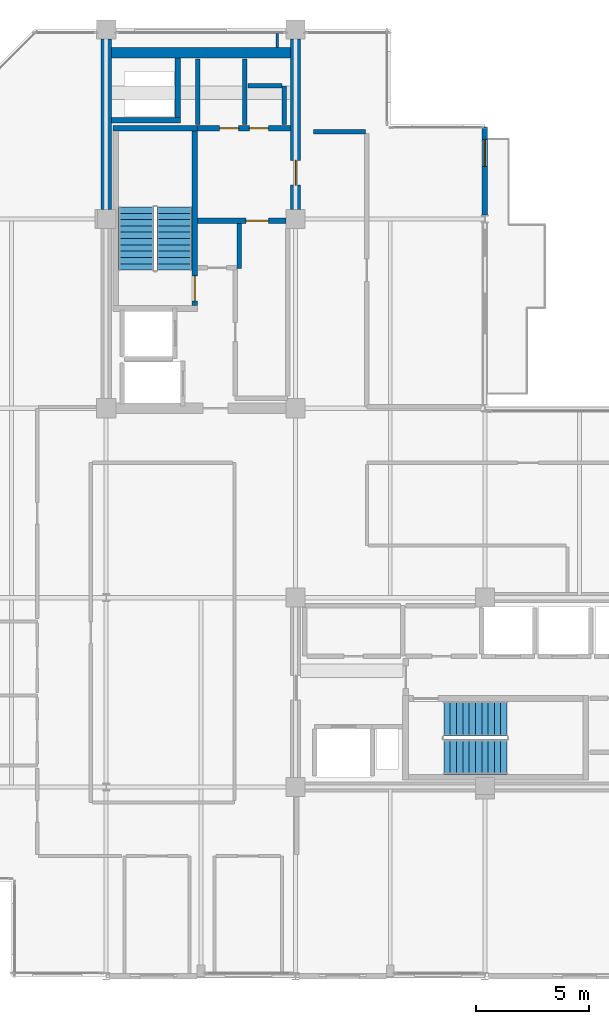
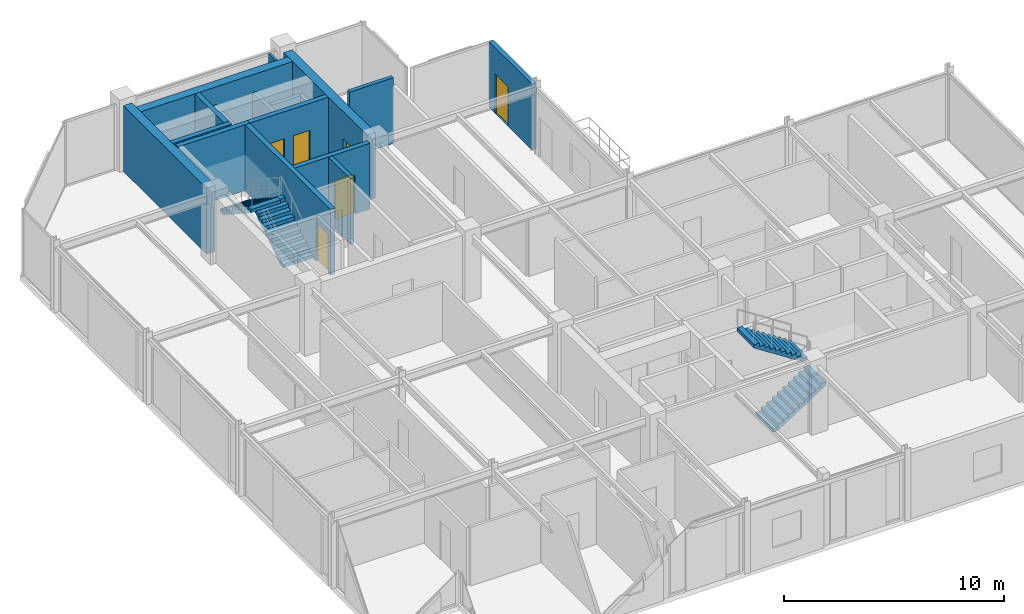
# One storey, part 23 of 26: 17 walls, 6 doors, 4 stair flights, 6 openings, 2 elements without a shape of their own.
"""IFC4 building model written with IfcOpenShell, lengths in metres."""

import ifcopenshell
import ifcopenshell.guid

model = None  # the IFC model being written
_history = None  # IfcOwnerHistory: only IFC2X3 demands one
_inside = {}  # id of a spatial element -> (the spatial element, [elements in it])
_under = {}  # id of a project, library or spatial element -> (it, [spatial elements below it])
_declared = {}  # id of a project -> (the project, [libraries it declares])
_typed = {}  # id of a type object -> (the type object, [elements of that type])
_made_of = {}  # id of a material, layer set ... -> (it, [elements and type objects made of it])


def new_model(schema):
    """Start an empty IFC model of exactly this schema.

    Asked for "IFC4X3", IfcOpenShell would pick the latest addendum, in which some entities
    have other attributes; the version numbers below select the first issue.
    IFC2X3 requires an IfcOwnerHistory on every rooted entity: one is made here for all.
    """
    global model, _history
    if schema == "IFC4X3":
        model = ifcopenshell.file(schema_version=(4, 3, 0, 0))
    else:
        model = ifcopenshell.file(schema=schema)
    _inside.clear()
    _under.clear()
    _declared.clear()
    _typed.clear()
    _made_of.clear()
    _history = None
    if model.schema == "IFC2X3":
        org = make("IfcOrganization", Name="unknown")
        user = make(
            "IfcPersonAndOrganization",
            ThePerson=make("IfcPerson", FamilyName="unknown"),
            TheOrganization=org,
        )
        app = make(
            "IfcApplication",
            ApplicationDeveloper=org,
            Version="unknown",
            ApplicationFullName="unknown",
            ApplicationIdentifier="unknown",
        )
        _history = make(
            "IfcOwnerHistory",
            OwningUser=user,
            OwningApplication=app,
            ChangeAction="ADDED",
            CreationDate=0,
        )
    return model


def make(cls, **values):
    """One entity of the class cls with the attributes given. An attribute that is None is left unset."""
    return model.create_entity(
        cls, **{name: value for name, value in values.items() if value is not None}
    )


def rooted(cls, **values):
    """An entity with a GlobalId (a new one), such as an element, a storey or a relation."""
    return make(cls, GlobalId=ifcopenshell.guid.new(), OwnerHistory=_history, **values)


def si_unit(unit_type, name, prefix=None):
    """IfcSIUnit, for example si_unit("LENGTHUNIT", "METRE", prefix="MILLI")."""
    return make("IfcSIUnit", UnitType=unit_type, Prefix=prefix, Name=name)


def assignment(units):
    """IfcUnitAssignment: the units of a project."""
    return None if units is None else make("IfcUnitAssignment", Units=units)


def point(xyz):
    """IfcCartesianPoint."""
    return None if xyz is None else make("IfcCartesianPoint", Coordinates=xyz)


def direction(xyz):
    """IfcDirection."""
    return None if xyz is None else make("IfcDirection", DirectionRatios=xyz)


def frame(location, z_axis=None, x_axis=None):
    """IfcAxis2Placement3D, a coordinate frame: its origin and axes. An axis left out is left unset."""
    return make(
        "IfcAxis2Placement3D",
        Location=point(location),
        Axis=direction(z_axis),
        RefDirection=direction(x_axis),
    )


def frame_2d(location, x_axis=None):
    """IfcAxis2Placement2D, a coordinate frame in the plane: its origin and x axis."""
    return make(
        "IfcAxis2Placement2D", Location=point(location), RefDirection=direction(x_axis)
    )


def origin():
    """The frame at (0, 0, 0) with its axes left unset."""
    return frame((0.0, 0.0, 0.0))


def place(relative_to, where):
    """IfcLocalPlacement: puts the frame where relative to a parent placement (None: the world)."""
    return make(
        "IfcLocalPlacement", PlacementRelTo=relative_to, RelativePlacement=where
    )


def context(
    kind, dimensions, precision=None, world=None, true_north=None, identifier=None
):
    """IfcGeometricRepresentationContext, for example the 3D "Model" context."""
    return make(
        "IfcGeometricRepresentationContext",
        ContextIdentifier=identifier,
        ContextType=kind,
        CoordinateSpaceDimension=dimensions,
        Precision=precision,
        WorldCoordinateSystem=world,
        TrueNorth=true_north,
    )


def subcontext(parent, identifier, kind, view, scale=None):
    """IfcGeometricRepresentationSubContext, for example "Body" below "Model"."""
    return make(
        "IfcGeometricRepresentationSubContext",
        ContextIdentifier=identifier,
        ContextType=kind,
        ParentContext=parent,
        TargetScale=scale,
        TargetView=view,
    )


def project(units=None, contexts=None):
    """IfcProject with its units and contexts."""
    return rooted(
        "IfcProject",
        Name="project",
        RepresentationContexts=contexts,
        UnitsInContext=assignment(units),
    )


def spatial(cls, under=None, at=None, **own):
    """A site, building, storey or space (cls), placed at a placement, below another one or the project."""
    s = rooted(cls, ObjectPlacement=at, **own)
    if under is not None:
        _under.setdefault(under.id(), (under, []))[1].append(s)
    return s


def polyline(points):
    """IfcPolyline through the points."""
    return make("IfcPolyline", Points=[point(p) for p in points])


def profile(cls, at=None, kind="AREA", **sizes):
    """A parametric profile (cls). Its sizes go by their IFC names, for example OverallWidth=200.0."""
    return make(cls, ProfileType=kind, Position=at, **sizes)


def rectangle(**sizes):
    """IfcRectangleProfileDef."""
    return profile("IfcRectangleProfileDef", **sizes)


def outline(outer, holes=None, kind="AREA"):
    """IfcArbitraryClosedProfileDef: a profile drawn as a closed curve; with holes, ...WithVoids."""
    if holes is None:
        return make("IfcArbitraryClosedProfileDef", ProfileType=kind, OuterCurve=outer)
    return make(
        "IfcArbitraryProfileDefWithVoids",
        ProfileType=kind,
        OuterCurve=outer,
        InnerCurves=holes,
    )


def extrude(swept, where, along, depth):
    """IfcExtrudedAreaSolid: the profile swept, set in the frame where, extruded along a direction by depth."""
    return make(
        "IfcExtrudedAreaSolid",
        SweptArea=swept,
        Position=where,
        ExtrudedDirection=direction(along),
        Depth=depth,
    )


def shape(context_of_items, identifier, shape_type, items):
    """IfcShapeRepresentation: the items that make up one representation, for example the "Body"."""
    return make(
        "IfcShapeRepresentation",
        ContextOfItems=context_of_items,
        RepresentationIdentifier=identifier,
        RepresentationType=shape_type,
        Items=items,
    )


def material(Name=None, Category=None):
    """IfcMaterial."""
    return make("IfcMaterial", Name=Name, Category=Category)


def layer(
    of_material, thickness, ventilated=None, Name=None, Category=None, Priority=None
):
    """IfcMaterialLayer: one layer of a wall or slab, of a material (None: an air gap)."""
    return make(
        "IfcMaterialLayer",
        Material=of_material,
        LayerThickness=thickness,
        IsVentilated=ventilated,
        Name=Name,
        Category=Category,
        Priority=Priority,
    )


def layer_set(layers, Name=None):
    """IfcMaterialLayerSet."""
    return make("IfcMaterialLayerSet", MaterialLayers=layers, LayerSetName=Name)


def made_of(thing, what):
    """Note that an element or type object is made of a material, layer set ...; save() writes the relation."""
    if what is not None:
        _made_of.setdefault(what.id(), (what, []))[1].append(thing)
    return thing


def type_object(cls, material=None, **own):
    """A type object (cls), such as IfcWallType, which elements share."""
    return made_of(rooted(cls, **own), material)


def element(
    cls,
    number,
    at=None,
    inside=None,
    cuts=None,
    type_object=None,
    material=None,
    context=None,
    identifier="Body",
    shape_type=None,
    held_by="IfcProductDefinitionShape",
    body=None,
    shapes=None,
    **own,
):
    """One element of the class cls, such as IfcWall. Its Tag is "e" and its number.

    at: its placement. inside: the storey or other place that contains it. cuts: it is an
    opening in that element (IfcRelVoidsElement). A single representation is given by context,
    identifier, shape_type and body (its items); several are given by shapes. held_by: the class
    of the entity that holds the representations. save() writes the other relations.
    """
    e = rooted(cls, Tag="e%d" % number, ObjectPlacement=at, **own)
    if body is not None:
        shapes = [shape(context, identifier, shape_type, body)]
    if shapes is not None:
        e.Representation = make(held_by, Representations=shapes)
    if inside is not None:
        _inside.setdefault(inside.id(), (inside, []))[1].append(e)
    if cuts is not None:
        rooted(
            "IfcRelVoidsElement", RelatingBuildingElement=cuts, RelatedOpeningElement=e
        )
    if type_object is not None:
        _typed.setdefault(type_object.id(), (type_object, []))[1].append(e)
    return made_of(e, material)


def fill(opening, filler):
    """IfcRelFillsElement: the door or window that sits in an opening."""
    return rooted(
        "IfcRelFillsElement",
        RelatingOpeningElement=opening,
        RelatedBuildingElement=filler,
    )


def aggregate(whole, parts):
    """IfcRelAggregates: a whole, such as a stair, and the parts it consists of."""
    return rooted("IfcRelAggregates", RelatingObject=whole, RelatedObjects=parts)


def save(model, path):
    """Write the relations noted so far, then the file.

    IfcRelAggregates (storeys below a building ...), IfcRelContainedInSpatialStructure (elements
    in a storey), IfcRelDefinesByType, IfcRelAssociatesMaterial and IfcRelDeclares: one each for
    every whole, place, type object, material and project.
    """
    for whole, parts in _under.values():
        aggregate(whole, parts)
    for where, things in _inside.values():
        rooted(
            "IfcRelContainedInSpatialStructure",
            RelatedElements=things,
            RelatingStructure=where,
        )
    for kind, things in _typed.values():
        rooted("IfcRelDefinesByType", RelatedObjects=things, RelatingType=kind)
    for what, things in _made_of.values():
        rooted("IfcRelAssociatesMaterial", RelatedObjects=things, RelatingMaterial=what)
    for by, libraries in _declared.values():
        rooted("IfcRelDeclares", RelatingContext=by, RelatedDefinitions=libraries)
    model.write(path)


model = new_model("IFC4")

# Units and contexts
model_context = context("Model", 3, precision=1e-05, world=origin(), true_north=direction((0.0, 1.0)))
body_context = subcontext(model_context, "Body", "Model", "MODEL_VIEW")
ifc_project = project(units=[si_unit("LENGTHUNIT", "METRE"), si_unit("AREAUNIT", "SQUARE_METRE"), si_unit("VOLUMEUNIT", "CUBIC_METRE"), si_unit("PLANEANGLEUNIT", "RADIAN"), si_unit("MASSUNIT", "GRAM", prefix="KILO")], contexts=[model_context])

# Site, building, storey
site_placement = place(None, origin())
site = spatial("IfcSite", under=ifc_project, at=site_placement, CompositionType="ELEMENT")
building_placement = place(site_placement, origin())
building = spatial("IfcBuilding", under=site, at=building_placement, Name="Nerrivon Quay Data Exchange", CompositionType="ELEMENT")
storey_placement = place(building_placement, frame((0.0, 0.0, 282.199951171875)))
storey = spatial("IfcBuildingStorey", under=building, at=storey_placement, Name="L67", CompositionType="ELEMENT", Elevation=282.199951171875)

# Wall, opening, door
ifc_material_1 = material(Name="Architectural terracotta precast concrete N50 (50 MPa)", Category="masonry")
ifc_layer_1 = layer(ifc_material_1, 0.239990234375)
ifc_layer_set_1 = layer_set([ifc_layer_1], Name="Architectural terracotta precast concrete N50 (50 MPa)")
wall_type_1 = type_object("IfcWallType", Name="EW-PREC-240", PredefinedType="STANDARD", material=ifc_layer_set_1)
wall_1_placement = place(storey_placement, frame((25.199951171875, 37.679931640625, 0.0), z_axis=(0.0, 0.0, 1.0), x_axis=(0.0, -1.0, 0.0)))
wall_1 = element("IfcWall", 1, at=wall_1_placement, inside=storey, type_object=wall_type_1, Name="L67 Terrace Host Wall 22", PredefinedType="STANDARD", context=body_context, shape_type="SweptSolid", body=[
    extrude(rectangle(XDim=3.91650390625, YDim=0.239990234375, at=frame_2d((1.958251953125, 0.0))), origin(), (0.0, 0.0, 1.0), 3.650146484375),
])
opening_1_placement = place(wall_1_placement, frame((0.550048828125, 0.0, 0.0)))
opening_1 = element("IfcOpeningElement", 2, at=opening_1_placement, cuts=wall_1, Name="Opening TD1", PredefinedType="OPENING", context=body_context, shape_type="SweptSolid", body=[
    extrude(rectangle(XDim=1.199951171875, YDim=2.199951171875, at=frame_2d((0.60009765625, 1.10009765625))), frame((0.0, 0.1298828125, 0.0), z_axis=(0.0, -1.0, 0.0), x_axis=(1.0, 0.0, 0.0)), (0.0, 0.0, 1.0), 0.260009765625),
])
ifc_material_2 = material(Name="Double-glazed low-E solar control glass", Category="glass")
door_type_1 = type_object("IfcDoorType", Name="DR-TERR-1200x2200", OperationType="NOTDEFINED", PredefinedType="DOOR", material=ifc_material_2)
door_1_placement = place(opening_1_placement, origin())
door_1 = element("IfcDoor", 3, at=door_1_placement, inside=storey, type_object=door_type_1, Name="L67 Outdoor Terrace Access Door 22", OperationType="SINGLE_SWING_LEFT", OverallHeight=2.199951171875, OverallWidth=1.199951171875, PredefinedType="DOOR", context=body_context, shape_type="SweptSolid", body=[
    extrude(rectangle(XDim=1.199951171875, YDim=2.199951171875, at=frame_2d((0.60009765625, 1.10009765625))), frame((0.0, 0.02490234375, 0.0), z_axis=(0.0, -1.0, 0.0), x_axis=(1.0, 0.0, 0.0)), (0.0, 0.0, 1.0), 0.050048828125),
])
fill(opening_1, door_1)

# Walls
ifc_material_3 = material(Name="Concrete N50 (50 MPa)", Category="concrete")
ifc_layer_2 = layer(ifc_material_3, 0.449951171875)
ifc_layer_set_2 = layer_set([ifc_layer_2], Name="Concrete N50 (50 MPa)")
wall_type_2 = type_object("IfcWallType", Name="WALL-CW-550", PredefinedType="SHEAR", material=ifc_layer_set_2)
wall_2_placement = place(storey_placement, frame((8.39990234375, 34.02490234375, 0.0), z_axis=(0.0, 0.0, 1.0), x_axis=(0.0, 1.0, 0.0)))
element("IfcWall", 4, at=wall_2_placement, inside=storey, type_object=wall_type_2, Name="L67 West Split-Core Shear Wall WCW-W2", PredefinedType="SHEAR", context=body_context, shape_type="SweptSolid", body=[
    extrude(rectangle(XDim=7.550048828125, YDim=0.449951171875, at=frame_2d((3.77490234375, 0.0))), origin(), (0.0, 0.0, 1.0), 3.650146484375),
])
wall_3_placement = place(storey_placement, frame((8.625, 40.97509765625, 0.0), z_axis=(0.0, 0.0, 1.0), x_axis=(1.0, 0.0, 0.0)))
element("IfcWall", 5, at=wall_3_placement, inside=storey, type_object=wall_type_2, Name="L67 West Split-Core Shear Wall WCW-N1", PredefinedType="SHEAR", context=body_context, shape_type="SweptSolid", body=[
    extrude(rectangle(XDim=7.949951171875, YDim=0.449951171875, at=frame_2d((3.97509765625, 0.0))), origin(), (0.0, 0.0, 1.0), 3.650146484375),
])

# Wall, opening, door
wall_4_placement = place(storey_placement, frame((16.800048828125, 34.02490234375, 0.0), z_axis=(0.0, 0.0, 1.0), x_axis=(0.0, 1.0, 0.0)))
wall_4 = element("IfcWall", 6, at=wall_4_placement, inside=storey, type_object=wall_type_2, Name="L67 West Split-Core Shear Wall WCW-E1", PredefinedType="SHEAR", context=body_context, shape_type="SweptSolid", body=[
    extrude(rectangle(XDim=7.550048828125, YDim=0.449951171875, at=frame_2d((3.77490234375, 0.0))), origin(), (0.0, 0.0, 1.0), 3.650146484375),
])
opening_2_placement = place(wall_4_placement, frame((1.074951171875, 0.0, 0.0)))
opening_2 = element("IfcOpeningElement", 7, at=opening_2_placement, cuts=wall_4, Name="Opening FD-120", PredefinedType="OPENING", context=body_context, shape_type="SweptSolid", body=[
    extrude(rectangle(XDim=1.10009765625, YDim=2.14990234375, at=frame_2d((0.550048828125, 1.074951171875))), frame((0.0, 0.23486328125, 0.0), z_axis=(0.0, -1.0, 0.0), x_axis=(1.0, 0.0, 0.0)), (0.0, 0.0, 1.0), 0.469970703125),
])
ifc_material_4 = material(Name="Powder-coated galvanized steel sheet", Category="steel")
door_type_2 = type_object("IfcDoorType", Name="DR-FD120-1100", OperationType="NOTDEFINED", PredefinedType="DOOR", material=ifc_material_4)
door_2_placement = place(opening_2_placement, origin())
door_2 = element("IfcDoor", 8, at=door_2_placement, inside=storey, type_object=door_type_2, Name="L67 West Core Lobby Fire Door", OperationType="SINGLE_SWING_LEFT", OverallHeight=2.14990234375, OverallWidth=1.10009765625, PredefinedType="DOOR", context=body_context, shape_type="SweptSolid", body=[
    extrude(rectangle(XDim=1.10009765625, YDim=2.14990234375, at=frame_2d((0.550048828125, 1.074951171875))), frame((0.0, 0.02490234375, 0.0), z_axis=(0.0, -1.0, 0.0), x_axis=(1.0, 0.0, 0.0)), (0.0, 0.0, 1.0), 0.050048828125),
])
fill(opening_2, door_2)

# Walls
ifc_material_5 = material(Name="Gypsum plasterboard on cold-formed framing", Category="gypsum")
ifc_layer_3 = layer(ifc_material_5, 0.199951171875)
ifc_layer_set_3 = layer_set([ifc_layer_3], Name="Gypsum plasterboard on cold-formed framing")
wall_type_3 = type_object("IfcWallType", Name="WALL-FW-200", PredefinedType="PARTITIONING", material=ifc_layer_set_3)
wall_5_placement = place(storey_placement, frame((14.300048828125, 33.39111328125, 0.0), z_axis=(0.0, 0.0, 1.0), x_axis=(0.0, -1.0, 0.0)))
element("IfcWall", 9, at=wall_5_placement, inside=storey, type_object=wall_type_3, Name="L67 Partition Core Equipment Store", PredefinedType="PARTITIONING", context=body_context, shape_type="SweptSolid", body=[
    extrude(rectangle(XDim=1.9912109375, YDim=0.199951171875, at=frame_2d((0.99560546875, 0.0))), origin(), (0.0, 0.0, 1.0), 3.650146484375),
])
for number, where, z_axis, x_axis, name in (
    (10, (14.550048828125, 37.780029296875, 0.0), (0.0, 0.0, 1.0), (0.0, 1.0, 0.0), "L67 Partition Electrical Switchboard Closet"),
    (11, (12.449951171875, 40.699951171875, 0.0), (0.0, 0.0, 1.0), (0.0, -1.0, 0.0), "L67 Partition Electrical Switchboard Closet"),
):
    element("IfcWall", number, at=place(storey_placement, frame(where, z_axis=z_axis, x_axis=x_axis)), inside=storey, type_object=wall_type_3, Name=name, PredefinedType="PARTITIONING", context=body_context, shape_type="SweptSolid", body=[
        extrude(rectangle(XDim=2.919921875, YDim=0.199951171875, at=frame_2d((1.4599609375, 0.0))), origin(), (0.0, 0.0, 1.0), 2.699951171875),
    ])
wall_6_placement = place(storey_placement, frame((16.300048828125, 37.780029296875, 0.0), z_axis=(0.0, 0.0, 1.0), x_axis=(0.0, 1.0, 0.0)))
element("IfcWall", 12, at=wall_6_placement, inside=storey, type_object=wall_type_3, Name="L67 Partition Janitor Closet", PredefinedType="PARTITIONING", context=body_context, shape_type="SweptSolid", body=[
    extrude(rectangle(XDim=1.719970703125, YDim=0.199951171875, at=frame_2d((0.85986328125, 0.0))), origin(), (0.0, 0.0, 1.0), 2.699951171875),
])
wall_7_placement = place(storey_placement, frame((16.196044921875, 39.5, 0.0), z_axis=(0.0, 0.0, 1.0), x_axis=(-1.0, 0.0, 0.0)))
element("IfcWall", 13, at=wall_7_placement, inside=storey, type_object=wall_type_3, Name="L67 Partition Janitor Closet", PredefinedType="PARTITIONING", context=body_context, shape_type="SweptSolid", body=[
    extrude(rectangle(XDim=1.506103515625, YDim=0.199951171875, at=frame_2d((0.7529296875, 0.0))), origin(), (0.0, 0.0, 1.0), 2.699951171875),
])
wall_8_placement = place(storey_placement, frame((17.60009765625, 37.4599609375, 0.0), z_axis=(0.0, 0.0, 1.0), x_axis=(1.0, 0.0, 0.0)))
element("IfcWall", 14, at=wall_8_placement, inside=storey, type_object=wall_type_3, Name="L67 Partition Colocation Data Workspace 1", PredefinedType="PARTITIONING", context=body_context, shape_type="SweptSolid", body=[
    extrude(rectangle(XDim=2.2998046875, YDim=0.199951171875, at=frame_2d((1.14990234375, 0.0))), origin(), (0.0, 0.0, 1.0), 3.650146484375),
])
ifc_layer_4 = layer(ifc_material_5, 0.1201171875)
ifc_layer_set_4 = layer_set([ifc_layer_4], Name="Gypsum plasterboard on cold-formed framing")
wall_type_4 = type_object("IfcWallType", Name="WALL-PT-120", PredefinedType="PARTITIONING", material=ifc_layer_set_4)
wall_9_placement = place(storey_placement, frame((15.98388671875, 41.2041015625, 0.0), z_axis=(0.0, 0.0, 1.0), x_axis=(0.0, 1.0, 0.0)))
element("IfcWall", 15, at=wall_9_placement, inside=storey, type_object=wall_type_4, Name="L67 Partition Technical Library", PredefinedType="PARTITIONING", context=body_context, shape_type="SweptSolid", body=[
    extrude(rectangle(XDim=0.626953125, YDim=0.1201171875, at=frame_2d((0.3134765625, 0.0))), origin(), (0.0, 0.0, 1.0), 3.650146484375),
])
ifc_layer_5 = layer(ifc_material_3, 0.25)
ifc_layer_set_5 = layer_set([ifc_layer_5], Name="Concrete N50 (50 MPa)")
wall_type_5 = type_object("IfcWallType", Name="WALL-SW-250", PredefinedType="SHEAR", material=ifc_layer_set_5)
wall_10_placement = place(storey_placement, frame((12.449951171875, 37.625, 0.0), z_axis=(0.0, 0.0, 1.0), x_axis=(-1.0, 0.0, 0.0)))
element("IfcWall", 16, at=wall_10_placement, inside=storey, type_object=wall_type_5, Name="L67 ST01 Structural Stair Core Wall FAR", PredefinedType="SHEAR", context=body_context, shape_type="SweptSolid", body=[
    extrude(rectangle(XDim=3.75, YDim=0.25, at=frame_2d((1.875, 0.0))), origin(), (0.0, 0.0, 1.0), 3.650146484375),
])

# Wall, opening, door
wall_11_placement = place(storey_placement, frame((12.324951171875, 29.75, 0.0), z_axis=(0.0, 0.0, 1.0), x_axis=(0.0, 1.0, 0.0)))
wall_11 = element("IfcWall", 17, at=wall_11_placement, inside=storey, type_object=wall_type_5, Name="L67 ST01 Structural Stair Core Wall LEFT", PredefinedType="SHEAR", context=body_context, shape_type="SweptSolid", body=[
    extrude(rectangle(XDim=7.75, YDim=0.25, at=frame_2d((3.875, 0.0))), origin(), (0.0, 0.0, 1.0), 3.650146484375),
])
opening_3_placement = place(wall_11_placement, frame((0.219970703125, 0.0, 0.0)))
opening_3 = element("IfcOpeningElement", 18, at=opening_3_placement, cuts=wall_11, Name="Opening FD-120", PredefinedType="OPENING", context=body_context, shape_type="SweptSolid", body=[
    extrude(rectangle(XDim=1.10009765625, YDim=2.14990234375, at=frame_2d((0.550048828125, 1.074951171875))), frame((0.0, 0.135009765625, 0.0), z_axis=(0.0, -1.0, 0.0), x_axis=(1.0, 0.0, 0.0)), (0.0, 0.0, 1.0), 0.27001953125),
])
door_3_placement = place(opening_3_placement, origin())
door_3 = element("IfcDoor", 19, at=door_3_placement, inside=storey, type_object=door_type_2, Name="L67 Protected Stair Door ST01", OperationType="SINGLE_SWING_LEFT", OverallHeight=2.14990234375, OverallWidth=1.10009765625, PredefinedType="DOOR", context=body_context, shape_type="SweptSolid", body=[
    extrude(rectangle(XDim=1.10009765625, YDim=2.14990234375, at=frame_2d((0.550048828125, 1.074951171875))), frame((0.0, 0.02490234375, 0.0), z_axis=(0.0, -1.0, 0.0), x_axis=(1.0, 0.0, 0.0)), (0.0, 0.0, 1.0), 0.050048828125),
])
fill(opening_3, door_3)

# Walls
wall_12_placement = place(storey_placement, frame((8.625, 37.97509765625, 0.0), z_axis=(0.0, 0.0, 1.0), x_axis=(1.0, 0.0, 0.0)))
element("IfcWall", 20, at=wall_12_placement, inside=storey, type_object=wall_type_5, Name="L67 West Core MEP Riser Shaft Wall S", PredefinedType="SHEAR", context=body_context, shape_type="SweptSolid", body=[
    extrude(rectangle(XDim=3.074951171875, YDim=0.25, at=frame_2d((1.53759765625, 0.0))), origin(), (0.0, 0.0, 1.0), 3.650146484375),
])
wall_13_placement = place(storey_placement, frame((11.574951171875, 38.10009765625, 0.0), z_axis=(0.0, 0.0, 1.0), x_axis=(0.0, 1.0, 0.0)))
element("IfcWall", 21, at=wall_13_placement, inside=storey, type_object=wall_type_5, Name="L67 West Core MEP Riser Shaft Wall E", PredefinedType="SHEAR", context=body_context, shape_type="SweptSolid", body=[
    extrude(rectangle(XDim=2.64990234375, YDim=0.25, at=frame_2d((1.324951171875, 0.0))), origin(), (0.0, 0.0, 1.0), 3.650146484375),
])

# Wall, opening, door
wall_14_placement = place(storey_placement, frame((12.449951171875, 33.52001953125, 0.0), z_axis=(0.0, 0.0, 1.0), x_axis=(1.0, 0.0, 0.0)))
wall_14 = element("IfcWall", 22, at=wall_14_placement, inside=storey, type_object=wall_type_5, Name="L67 West Lobby Smoke-Stop Wall", PredefinedType="SHEAR", context=body_context, shape_type="SweptSolid", body=[
    extrude(rectangle(XDim=3.925048828125, YDim=0.25, at=frame_2d((1.96240234375, 0.0))), origin(), (0.0, 0.0, 1.0), 3.650146484375),
])
opening_4_placement = place(wall_14_placement, frame((2.14990234375, 0.0, 0.0)))
opening_4 = element("IfcOpeningElement", 23, at=opening_4_placement, cuts=wall_14, Name="Opening FD-60", PredefinedType="OPENING", context=body_context, shape_type="SweptSolid", body=[
    extrude(rectangle(XDim=1.0, YDim=2.14990234375, at=frame_2d((0.5, 1.074951171875))), frame((0.0, 0.135009765625, 0.0), z_axis=(0.0, -1.0, 0.0), x_axis=(1.0, 0.0, 0.0)), (0.0, 0.0, 1.0), 0.27001953125),
])
ifc_material_6 = material(Name="Engineered hardwood timber", Category="wood")
door_type_3 = type_object("IfcDoorType", Name="DR-FD60-1000", OperationType="NOTDEFINED", PredefinedType="DOOR", material=ifc_material_6)
door_4_placement = place(opening_4_placement, origin())
door_4 = element("IfcDoor", 24, at=door_4_placement, inside=storey, type_object=door_type_3, Name="L67 West Firefighting Lobby Fire Door", OperationType="SINGLE_SWING_LEFT", OverallHeight=2.14990234375, OverallWidth=1.0, PredefinedType="DOOR", context=body_context, shape_type="SweptSolid", body=[
    extrude(rectangle(XDim=1.0, YDim=2.14990234375, at=frame_2d((0.5, 1.074951171875))), frame((0.0, 0.02490234375, 0.0), z_axis=(0.0, -1.0, 0.0), x_axis=(1.0, 0.0, 0.0)), (0.0, 0.0, 1.0), 0.050048828125),
])
fill(opening_4, door_4)

# Wall, openings, doors
wall_15_placement = place(storey_placement, frame((12.449951171875, 37.625, 0.0), z_axis=(0.0, 0.0, 1.0), x_axis=(1.0, 0.0, 0.0)))
wall_15 = element("IfcWall", 25, at=wall_15_placement, inside=storey, type_object=wall_type_5, Name="L67 West Firefighting Lobby Wall", PredefinedType="SHEAR", context=body_context, shape_type="SweptSolid", body=[
    extrude(rectangle(XDim=4.125, YDim=0.25, at=frame_2d((2.0625, 0.0))), origin(), (0.0, 0.0, 1.0), 3.650146484375),
])
opening_5_placement = place(wall_15_placement, frame((0.9775390625, 0.0, 0.0)))
opening_5 = element("IfcOpeningElement", 26, at=opening_5_placement, cuts=wall_15, Name="Opening FD-60S", PredefinedType="OPENING", context=body_context, shape_type="SweptSolid", body=[
    extrude(rectangle(XDim=0.85009765625, YDim=2.14990234375, at=frame_2d((0.425048828125, 1.074951171875))), frame((0.0, 0.135009765625, 0.0), z_axis=(0.0, -1.0, 0.0), x_axis=(1.0, 0.0, 0.0)), (0.0, 0.0, 1.0), 0.27001953125),
])
opening_6_placement = place(wall_15_placement, frame((2.297607421875, 0.0, 0.0)))
opening_6 = element("IfcOpeningElement", 27, at=opening_6_placement, cuts=wall_15, Name="Opening FD-60S", PredefinedType="OPENING", context=body_context, shape_type="SweptSolid", body=[
    extrude(rectangle(XDim=0.85009765625, YDim=2.14990234375, at=frame_2d((0.425048828125, 1.074951171875))), frame((0.0, 0.135009765625, 0.0), z_axis=(0.0, -1.0, 0.0), x_axis=(1.0, 0.0, 0.0)), (0.0, 0.0, 1.0), 0.27001953125),
])
door_type_4 = type_object("IfcDoorType", Name="DR-FD60-850", OperationType="NOTDEFINED", PredefinedType="DOOR", material=ifc_material_6)
door_5_placement = place(opening_5_placement, origin())
door_5 = element("IfcDoor", 28, at=door_5_placement, inside=storey, type_object=door_type_4, Name="L67 Door Electrical Switchboard Closet", OperationType="SINGLE_SWING_LEFT", OverallHeight=2.14990234375, OverallWidth=0.85009765625, PredefinedType="DOOR", context=body_context, shape_type="SweptSolid", body=[
    extrude(rectangle(XDim=0.85009765625, YDim=2.14990234375, at=frame_2d((0.425048828125, 1.074951171875))), frame((0.0, 0.02490234375, 0.0), z_axis=(0.0, -1.0, 0.0), x_axis=(1.0, 0.0, 0.0)), (0.0, 0.0, 1.0), 0.050048828125),
])
fill(opening_5, door_5)
door_6_placement = place(opening_6_placement, origin())
door_6 = element("IfcDoor", 29, at=door_6_placement, inside=storey, type_object=door_type_4, Name="L67 Door Janitor Closet", OperationType="SINGLE_SWING_RIGHT", OverallHeight=2.14990234375, OverallWidth=0.85009765625, PredefinedType="DOOR", context=body_context, shape_type="SweptSolid", body=[
    extrude(rectangle(XDim=0.85009765625, YDim=2.14990234375, at=frame_2d((0.425048828125, 1.074951171875))), frame((0.0, 0.02490234375, 0.0), z_axis=(0.0, -1.0, 0.0), x_axis=(1.0, 0.0, 0.0)), (0.0, 0.0, 1.0), 0.050048828125),
])
fill(opening_6, door_6)

# Stair, stair flights
stair_type = type_object("IfcStairType", Name="STAIR-DOG-40", PredefinedType="HALF_TURN_STAIR", material=ifc_material_3)
stair_1_placement = place(storey_placement, origin())
stair_1 = element("IfcStair", 30, at=stair_1_placement, inside=storey, type_object=stair_type, Name="L67 West Core Fire Stair ST01", PredefinedType="HALF_TURN_STAIR")
stair_flight_type = type_object("IfcStairFlightType", Name="FLIGHT-DOG-40", PredefinedType="STRAIGHT", material=ifc_material_3)
stair_flight_1_placement = place(storey_placement, frame((11.425048828125, 31.330078125, 0.0), z_axis=(0.0, 0.0, 1.0), x_axis=(0.0, 1.0, 0.0)))
stair_flight_1 = element("IfcStairFlight", 31, at=stair_flight_1_placement, type_object=stair_flight_type, Name="ST01 flight 1", NumberOfRisers=11, NumberOfTreads=10, PredefinedType="STRAIGHT", RiserHeight=0.181818182, TreadLength=0.28, context=body_context, shape_type="SweptSolid", body=[
    extrude(outline(polyline([(0.0, 0.0), (0.0, 0.181884765625), (0.280029296875, 0.181884765625), (0.280029296875, 0.363525390625), (0.56005859375, 0.363525390625), (0.56005859375, 0.54541015625), (0.840087890625, 0.54541015625), (0.840087890625, 0.727294921875), (1.1201171875, 0.727294921875), (1.1201171875, 0.9091796875), (1.39990234375, 0.9091796875), (1.39990234375, 1.0908203125), (1.679931640625, 1.0908203125), (1.679931640625, 1.272705078125), (1.9599609375, 1.272705078125), (1.9599609375, 1.45458984375), (2.239990234375, 1.45458984375), (2.239990234375, 1.636474609375), (2.52001953125, 1.636474609375), (2.52001953125, 1.818115234375), (2.800048828125, 1.818115234375), (2.800048828125, 2.0), (2.800048828125, 1.639404296875), (0.275146484375, 0.0), (0.0, 0.0)])), frame((0.0, 0.77490234375, 0.0), z_axis=(0.0, -1.0, 0.0), x_axis=(1.0, 0.0, 0.0)), (0.0, 0.0, 1.0), 1.550048828125),
])
stair_flight_2_placement = place(storey_placement, frame((9.72509765625, 34.1298828125, 2.0), z_axis=(0.0, 0.0, 1.0), x_axis=(0.0, -1.0, 0.0)))
stair_flight_2 = element("IfcStairFlight", 32, at=stair_flight_2_placement, type_object=stair_flight_type, Name="ST01 flight 2", NumberOfRisers=11, NumberOfTreads=10, PredefinedType="STRAIGHT", RiserHeight=0.181818182, TreadLength=0.28, context=body_context, shape_type="SweptSolid", body=[
    extrude(outline(polyline([(0.0, 0.0), (0.0, 0.181884765625), (0.280029296875, 0.181884765625), (0.280029296875, 0.363525390625), (0.56005859375, 0.363525390625), (0.56005859375, 0.54541015625), (0.840087890625, 0.54541015625), (0.840087890625, 0.727294921875), (1.1201171875, 0.727294921875), (1.1201171875, 0.9091796875), (1.39990234375, 0.9091796875), (1.39990234375, 1.0908203125), (1.679931640625, 1.0908203125), (1.679931640625, 1.272705078125), (1.9599609375, 1.272705078125), (1.9599609375, 1.45458984375), (2.239990234375, 1.45458984375), (2.239990234375, 1.636474609375), (2.52001953125, 1.636474609375), (2.52001953125, 1.818115234375), (2.800048828125, 1.818115234375), (2.800048828125, 2.0), (2.800048828125, 1.639404296875), (0.275146484375, 0.0), (0.0, 0.0)])), frame((0.0, 0.77490234375, 0.0), z_axis=(0.0, -1.0, 0.0), x_axis=(1.0, 0.0, 0.0)), (0.0, 0.0, 1.0), 1.550048828125),
])
aggregate(stair_1, [stair_flight_1, stair_flight_2])

stair_2_placement = place(storey_placement, origin())
stair_2 = element("IfcStair", 33, at=stair_2_placement, inside=storey, type_object=stair_type, Name="L67 East Core Fire Stair ST02", PredefinedType="HALF_TURN_STAIR")
stair_flight_3_placement = place(storey_placement, frame((23.3798828125, 9.72509765625, 0.0), z_axis=(0.0, 0.0, 1.0), x_axis=(1.0, 0.0, 0.0)))
stair_flight_3 = element("IfcStairFlight", 34, at=stair_flight_3_placement, type_object=stair_flight_type, Name="ST02 flight 1", NumberOfRisers=11, NumberOfTreads=10, PredefinedType="STRAIGHT", RiserHeight=0.181818182, TreadLength=0.28, context=body_context, shape_type="SweptSolid", body=[
    extrude(outline(polyline([(0.0, 0.0), (0.0, 0.181884765625), (0.280029296875, 0.181884765625), (0.280029296875, 0.363525390625), (0.56005859375, 0.363525390625), (0.56005859375, 0.54541015625), (0.840087890625, 0.54541015625), (0.840087890625, 0.727294921875), (1.1201171875, 0.727294921875), (1.1201171875, 0.9091796875), (1.39990234375, 0.9091796875), (1.39990234375, 1.0908203125), (1.679931640625, 1.0908203125), (1.679931640625, 1.272705078125), (1.9599609375, 1.272705078125), (1.9599609375, 1.45458984375), (2.239990234375, 1.45458984375), (2.239990234375, 1.636474609375), (2.52001953125, 1.636474609375), (2.52001953125, 1.818115234375), (2.800048828125, 1.818115234375), (2.800048828125, 2.0), (2.800048828125, 1.639404296875), (0.275146484375, 0.0), (0.0, 0.0)])), frame((0.0, 0.77490234375, 0.0), z_axis=(0.0, -1.0, 0.0), x_axis=(1.0, 0.0, 0.0)), (0.0, 0.0, 1.0), 1.550048828125),
])
stair_flight_4_placement = place(storey_placement, frame((26.179931640625, 11.425048828125, 2.0), z_axis=(0.0, 0.0, 1.0), x_axis=(-1.0, 0.0, 0.0)))
stair_flight_4 = element("IfcStairFlight", 35, at=stair_flight_4_placement, type_object=stair_flight_type, Name="ST02 flight 2", NumberOfRisers=11, NumberOfTreads=10, PredefinedType="STRAIGHT", RiserHeight=0.181818182, TreadLength=0.28, context=body_context, shape_type="SweptSolid", body=[
    extrude(outline(polyline([(0.0, 0.0), (0.0, 0.181884765625), (0.280029296875, 0.181884765625), (0.280029296875, 0.363525390625), (0.56005859375, 0.363525390625), (0.56005859375, 0.54541015625), (0.840087890625, 0.54541015625), (0.840087890625, 0.727294921875), (1.1201171875, 0.727294921875), (1.1201171875, 0.9091796875), (1.39990234375, 0.9091796875), (1.39990234375, 1.0908203125), (1.679931640625, 1.0908203125), (1.679931640625, 1.272705078125), (1.9599609375, 1.272705078125), (1.9599609375, 1.45458984375), (2.239990234375, 1.45458984375), (2.239990234375, 1.636474609375), (2.52001953125, 1.636474609375), (2.52001953125, 1.818115234375), (2.800048828125, 1.818115234375), (2.800048828125, 2.0), (2.800048828125, 1.639404296875), (0.275146484375, 0.0), (0.0, 0.0)])), frame((0.0, 0.77490234375, 0.0), z_axis=(0.0, -1.0, 0.0), x_axis=(1.0, 0.0, 0.0)), (0.0, 0.0, 1.0), 1.550048828125),
])
aggregate(stair_2, [stair_flight_3, stair_flight_4])

save(model, "model.ifc")
